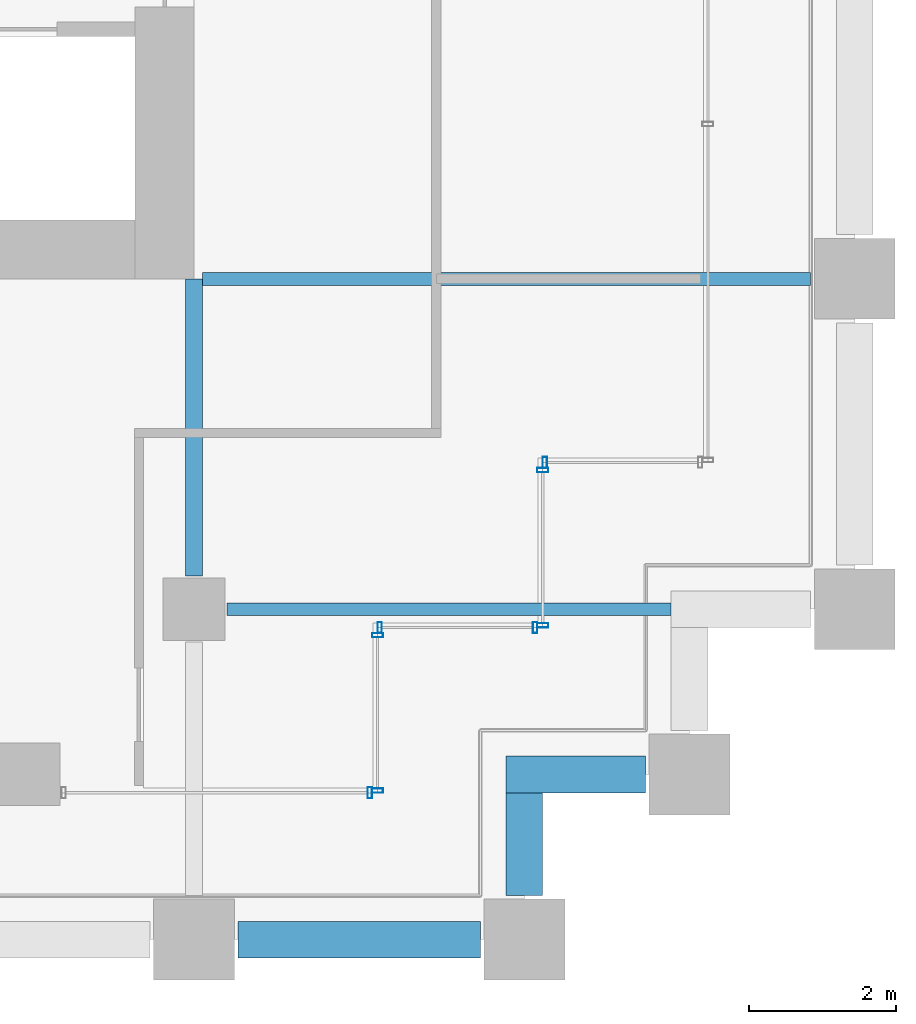
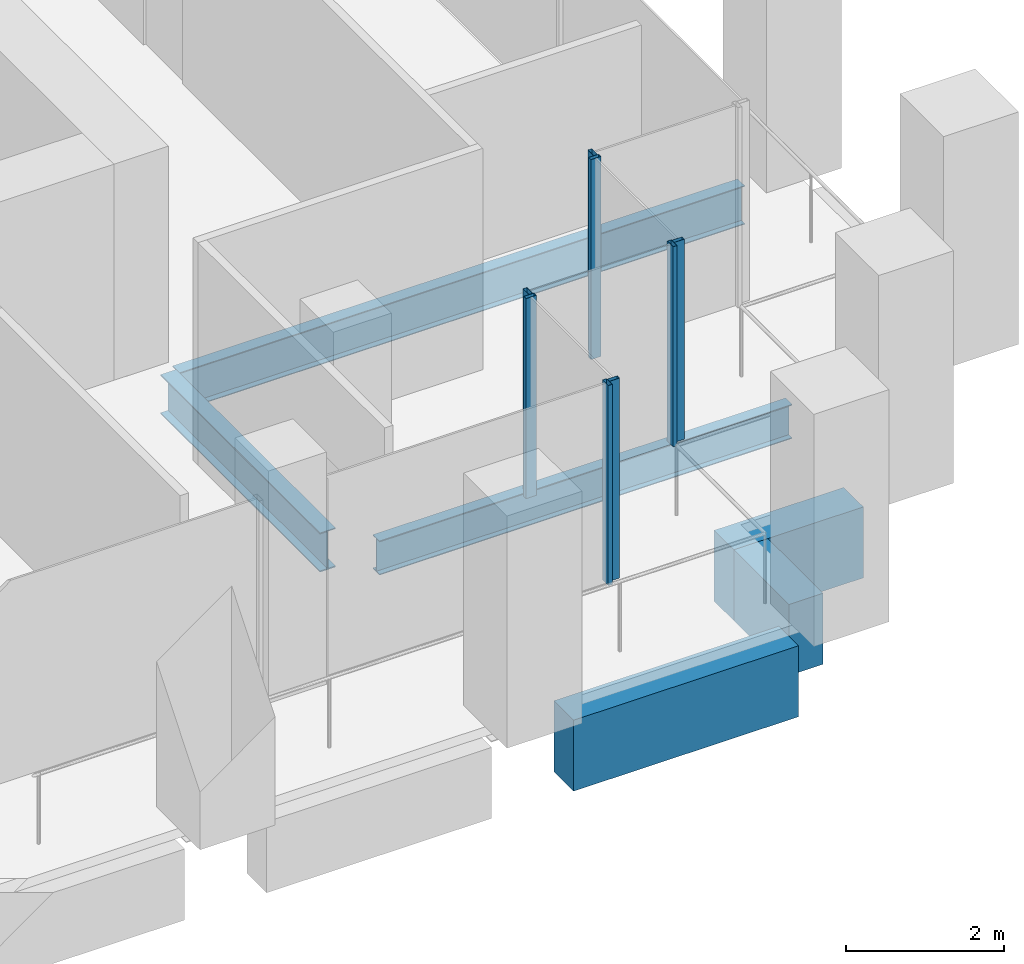
# One storey, part 37 of 55: 8 members, 6 beams, 5 elements without a shape of their own.
"""IFC4 building model written with IfcOpenShell, lengths in metres."""

from ifc_helpers import new_model, si_unit, direction, frame, origin, origin_2d, place, context, subcontext, project, spatial, rectangle, hollow_rectangle, i_section, extrude, material, material_profile, profile_set, type_object, element, aggregate, save


model = new_model("IFC4")

# Units and contexts
model_context = context("Model", 3, precision=1e-05, world=origin(), true_north=direction((0.0, 1.0)))
body_context = subcontext(model_context, "Body", "Model", "MODEL_VIEW")
ifc_project = project(units=[si_unit("LENGTHUNIT", "METRE"), si_unit("AREAUNIT", "SQUARE_METRE"), si_unit("VOLUMEUNIT", "CUBIC_METRE"), si_unit("PLANEANGLEUNIT", "RADIAN"), si_unit("MASSUNIT", "GRAM", prefix="KILO")], contexts=[model_context])

# Site, building, storey
site_placement = place(None, origin())
site = spatial("IfcSite", under=ifc_project, at=site_placement, CompositionType="ELEMENT")
building_placement = place(site_placement, origin())
building = spatial("IfcBuilding", under=site, at=building_placement, Name="Altepetl Exchange Towers", CompositionType="ELEMENT")
storey_placement = place(building_placement, frame((0.0, 0.0, 47.39990234375)))
storey = spatial("IfcBuildingStorey", under=building, at=storey_placement, Name="L10", CompositionType="ELEMENT", Elevation=47.39990234375)

# Beams
ifc_material_1 = material(Name="Steel S355", Category="steel")
ifc_material_profile_1 = material_profile(ifc_material_1, i_section(OverallWidth=0.166015625, OverallDepth=0.529052734375, WebThickness=0.009765625, FlangeThickness=0.013671875, at=origin_2d()), Name="W21X50")
ifc_profile_set_1 = profile_set([ifc_material_profile_1], Name="Steel S355")
beam_type_1 = type_object("IfcBeamType", Name="Floor beam W21X50", PredefinedType="BEAM", material=ifc_profile_set_1)
beam_1_placement = place(storey_placement, frame((117.449951171875, 31.5, -0.414306640625), z_axis=(1.0, 0.0, 0.0), x_axis=(0.0, 1.0, 0.0)))
element("IfcBeam", 1, at=beam_1_placement, inside=storey, type_object=beam_type_1, Name="bm:B:L10:004", PredefinedType="BEAM", context=body_context, shape_type="SweptSolid", body=[
    extrude(i_section(OverallWidth=0.166015625, OverallDepth=0.529052734375, WebThickness=0.009765625, FlangeThickness=0.013671875, at=origin_2d()), origin(), (0.0, 0.0, 1.0), 6.050048828125),
])
ifc_material_profile_2 = material_profile(ifc_material_1, i_section(OverallWidth=0.177978515625, OverallDepth=0.59912109375, WebThickness=0.010009765625, FlangeThickness=0.0126953125, at=origin_2d()), Name="W24X55")
ifc_profile_set_2 = profile_set([ifc_material_profile_2], Name="Steel S355")
beam_type_2 = type_object("IfcBeamType", Name="Floor beam W24X55", PredefinedType="BEAM", material=ifc_profile_set_2)
beam_2_placement = place(storey_placement, frame((117.114013671875, 36.0, -0.449462890625), z_axis=(1.0, 0.0, 0.0), x_axis=(0.0, 1.0, 0.0)))
element("IfcBeam", 2, at=beam_2_placement, inside=storey, type_object=beam_type_2, Name="bm:B:L10:005", PredefinedType="BEAM", context=body_context, shape_type="SweptSolid", body=[
    extrude(i_section(OverallWidth=0.177978515625, OverallDepth=0.59912109375, WebThickness=0.010009765625, FlangeThickness=0.0126953125, at=origin_2d()), origin(), (0.0, 0.0, 1.0), 8.285888671875),
])
ifc_material_profile_3 = material_profile(ifc_material_1, i_section(OverallWidth=0.22802734375, OverallDepth=0.60791015625, WebThickness=0.01123046875, FlangeThickness=0.017333984375, at=origin_2d()), Name="W24X76")
ifc_profile_set_3 = profile_set([ifc_material_profile_3], Name="Steel S355")
beam_type_3 = type_object("IfcBeamType", Name="Girder W24X76", PredefinedType="BEAM", material=ifc_profile_set_3)
beam_3_placement = place(storey_placement, frame((117.0, 36.0, -0.453857421875), z_axis=(0.0, -1.0, 0.0), x_axis=(1.0, 0.0, 0.0)))
element("IfcBeam", 3, at=beam_3_placement, inside=storey, type_object=beam_type_3, Name="gd:B:L10:004", PredefinedType="BEAM", context=body_context, shape_type="SweptSolid", body=[
    extrude(i_section(OverallWidth=0.22802734375, OverallDepth=0.60791015625, WebThickness=0.01123046875, FlangeThickness=0.017333984375, at=origin_2d()), origin(), (0.0, 0.0, 1.0), 4.050048828125),
])

# Curtain wall, member
ifc_material_2 = material(Name="Aluminium 6063-T6 glazing", Category="aluminium")
curtain_wall_type = type_object("IfcCurtainWallType", Name="Loggia glazing system", PredefinedType="NOTDEFINED", material=ifc_material_2)
curtain_wall_1_placement = place(storey_placement, origin())
curtain_wall_1 = element("IfcCurtainWall", 4, at=curtain_wall_1_placement, inside=storey, type_object=curtain_wall_type, Name="CW1 run", PredefinedType="NOTDEFINED")
ifc_material_3 = material(Name="Aluminium 6063-T6", Category="aluminium")
ifc_material_profile_4 = material_profile(ifc_material_3, hollow_rectangle(XDim=0.06005859375, YDim=0.14990234375, WallThickness=0.0029296875, at=origin_2d()), Name="Mullion 60x150 aluminium")
ifc_profile_set_4 = profile_set([ifc_material_profile_4], Name="Aluminium 6063-T6")
member_type = type_object("IfcMemberType", Name="Mullion 60x150 aluminium", PredefinedType="MULLION", material=ifc_profile_set_4)
member_1_placement = place(storey_placement, frame((119.39501953125, 29.0, 0.0)))
member_1 = element("IfcMember", 5, at=member_1_placement, type_object=member_type, Name="MU1 mullion", PredefinedType="MULLION", context=body_context, shape_type="SweptSolid", body=[
    extrude(hollow_rectangle(XDim=0.06005859375, YDim=0.14990234375, WallThickness=0.0029296875, at=origin_2d()), origin(), (0.0, 0.0, 1.0), 3.10009765625),
])
aggregate(curtain_wall_1, [member_1])

# Curtain wall, members
curtain_wall_2_placement = place(storey_placement, origin())
curtain_wall_2 = element("IfcCurtainWall", 6, at=curtain_wall_2_placement, inside=storey, type_object=curtain_wall_type, Name="CW1 run", PredefinedType="NOTDEFINED")
member_2_placement = place(storey_placement, frame((119.5, 29.030029296875, 0.0), z_axis=(0.0, 0.0, 1.0), x_axis=(0.0, 1.0, 0.0)))
member_2 = element("IfcMember", 7, at=member_2_placement, type_object=member_type, Name="MU1 mullion", PredefinedType="MULLION", context=body_context, shape_type="SweptSolid", body=[
    extrude(hollow_rectangle(XDim=0.06005859375, YDim=0.14990234375, WallThickness=0.0029296875, at=origin_2d()), origin(), (0.0, 0.0, 1.0), 3.10009765625),
])
member_3_placement = place(storey_placement, frame((119.5, 31.14501953125, 0.0), z_axis=(0.0, 0.0, 1.0), x_axis=(0.0, 1.0, 0.0)))
member_3 = element("IfcMember", 8, at=member_3_placement, type_object=member_type, Name="MU1 mullion", PredefinedType="MULLION", context=body_context, shape_type="SweptSolid", body=[
    extrude(hollow_rectangle(XDim=0.06005859375, YDim=0.14990234375, WallThickness=0.0029296875, at=origin_2d()), origin(), (0.0, 0.0, 1.0), 3.10009765625),
])
aggregate(curtain_wall_2, [member_2, member_3])

curtain_wall_3_placement = place(storey_placement, origin())
curtain_wall_3 = element("IfcCurtainWall", 9, at=curtain_wall_3_placement, inside=storey, type_object=curtain_wall_type, Name="CW1 run", PredefinedType="NOTDEFINED")
member_4_placement = place(storey_placement, frame((119.530029296875, 31.25, 0.0)))
member_4 = element("IfcMember", 10, at=member_4_placement, type_object=member_type, Name="MU1 mullion", PredefinedType="MULLION", context=body_context, shape_type="SweptSolid", body=[
    extrude(hollow_rectangle(XDim=0.06005859375, YDim=0.14990234375, WallThickness=0.0029296875, at=origin_2d()), origin(), (0.0, 0.0, 1.0), 3.10009765625),
])
member_5_placement = place(storey_placement, frame((121.64501953125, 31.25, 0.0)))
member_5 = element("IfcMember", 11, at=member_5_placement, type_object=member_type, Name="MU1 mullion", PredefinedType="MULLION", context=body_context, shape_type="SweptSolid", body=[
    extrude(hollow_rectangle(XDim=0.06005859375, YDim=0.14990234375, WallThickness=0.0029296875, at=origin_2d()), origin(), (0.0, 0.0, 1.0), 3.10009765625),
])
aggregate(curtain_wall_3, [member_4, member_5])

curtain_wall_4_placement = place(storey_placement, origin())
curtain_wall_4 = element("IfcCurtainWall", 12, at=curtain_wall_4_placement, inside=storey, type_object=curtain_wall_type, Name="CW1 run", PredefinedType="NOTDEFINED")
member_6_placement = place(storey_placement, frame((121.75, 31.280029296875, 0.0), z_axis=(0.0, 0.0, 1.0), x_axis=(0.0, 1.0, 0.0)))
member_6 = element("IfcMember", 13, at=member_6_placement, type_object=member_type, Name="MU1 mullion", PredefinedType="MULLION", context=body_context, shape_type="SweptSolid", body=[
    extrude(hollow_rectangle(XDim=0.06005859375, YDim=0.14990234375, WallThickness=0.0029296875, at=origin_2d()), origin(), (0.0, 0.0, 1.0), 3.10009765625),
])
member_7_placement = place(storey_placement, frame((121.75, 33.39501953125, 0.0), z_axis=(0.0, 0.0, 1.0), x_axis=(0.0, 1.0, 0.0)))
member_7 = element("IfcMember", 14, at=member_7_placement, type_object=member_type, Name="MU1 mullion", PredefinedType="MULLION", context=body_context, shape_type="SweptSolid", body=[
    extrude(hollow_rectangle(XDim=0.06005859375, YDim=0.14990234375, WallThickness=0.0029296875, at=origin_2d()), origin(), (0.0, 0.0, 1.0), 3.10009765625),
])
aggregate(curtain_wall_4, [member_6, member_7])

# Curtain wall, member
curtain_wall_5_placement = place(storey_placement, origin())
curtain_wall_5 = element("IfcCurtainWall", 15, at=curtain_wall_5_placement, inside=storey, type_object=curtain_wall_type, Name="CW1 run", PredefinedType="NOTDEFINED")
member_8_placement = place(storey_placement, frame((121.780029296875, 33.5, 0.0)))
member_8 = element("IfcMember", 16, at=member_8_placement, type_object=member_type, Name="MU1 mullion", PredefinedType="MULLION", context=body_context, shape_type="SweptSolid", body=[
    extrude(hollow_rectangle(XDim=0.06005859375, YDim=0.14990234375, WallThickness=0.0029296875, at=origin_2d()), origin(), (0.0, 0.0, 1.0), 3.10009765625),
])
aggregate(curtain_wall_5, [member_8])

# Beams
ifc_material_4 = material(Name="Concrete C50/60 precast with cantera blanca facing", Category="concrete")
ifc_material_profile_5 = material_profile(ifc_material_4, rectangle(XDim=0.5, YDim=1.10009765625, at=origin_2d()), Name="500 x 1100")
ifc_profile_set_5 = profile_set([ifc_material_profile_5], Name="Concrete C50/60 precast with cantera blanca facing")
beam_type_4 = type_object("IfcBeamType", Name="Spandrel beam 500x1100 cantera blanca", PredefinedType="SPANDREL", material=ifc_profile_set_5)
beam_4_placement = place(storey_placement, frame((117.60009765625, 27.0, -0.699951171875), z_axis=(1.0, 0.0, 0.0), x_axis=(0.0, 1.0, 0.0)))
element("IfcBeam", 17, at=beam_4_placement, inside=storey, type_object=beam_type_4, Name="sp:B:L10:004", PredefinedType="SPANDREL", context=body_context, shape_type="SweptSolid", body=[
    extrude(rectangle(XDim=0.5, YDim=1.10009765625, at=origin_2d()), origin(), (0.0, 0.0, 1.0), 3.2998046875),
])
beam_5_placement = place(storey_placement, frame((121.5, 27.60009765625, -0.699951171875), z_axis=(0.0, 1.0, 0.0), x_axis=(-1.0, 0.0, 0.0)))
element("IfcBeam", 18, at=beam_5_placement, inside=storey, type_object=beam_type_4, Name="sp:B:L10:005", PredefinedType="SPANDREL", context=body_context, shape_type="SweptSolid", body=[
    extrude(rectangle(XDim=0.5, YDim=1.10009765625, at=origin_2d()), origin(), (0.0, 0.0, 1.0), 1.39990234375),
])
beam_6_placement = place(storey_placement, frame((121.25, 29.25, -0.699951171875), z_axis=(1.0, 0.0, 0.0), x_axis=(0.0, 1.0, 0.0)))
element("IfcBeam", 19, at=beam_6_placement, inside=storey, type_object=beam_type_4, Name="sp:B:L10:006", PredefinedType="SPANDREL", context=body_context, shape_type="SweptSolid", body=[
    extrude(rectangle(XDim=0.5, YDim=1.10009765625, at=origin_2d()), origin(), (0.0, 0.0, 1.0), 1.89990234375),
])

save(model, "model.ifc")
